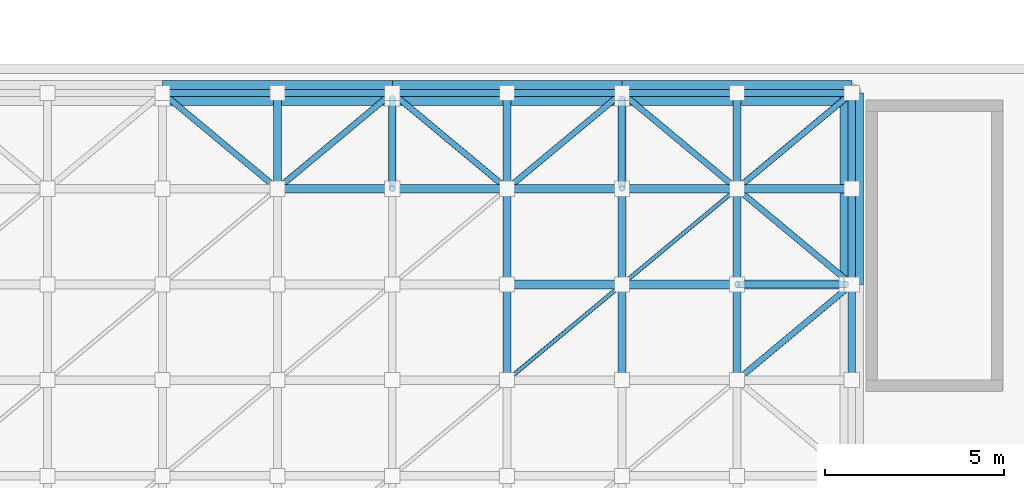
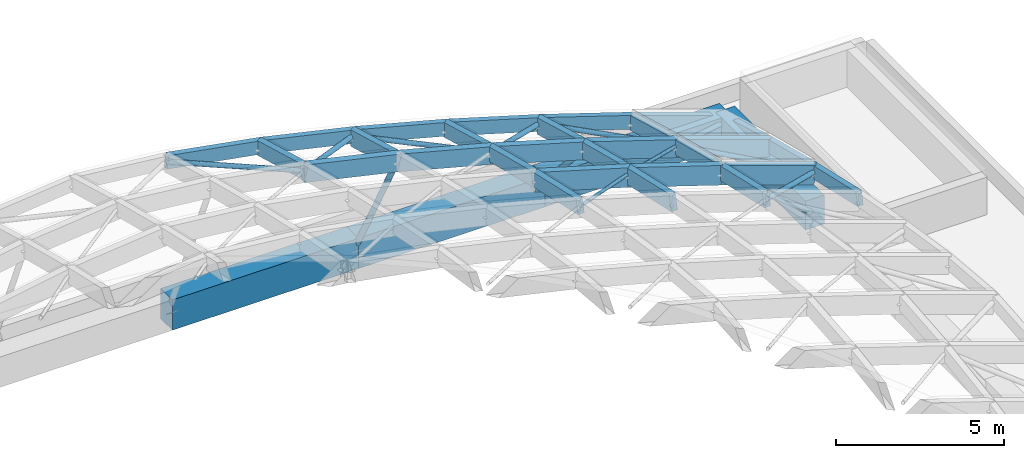
# One storey, part 22 of 40: 41 members, 4 beams.
"""IFC4 building model written with IfcOpenShell, lengths in metres."""

from ifc_helpers import new_model, si_unit, direction, frame, origin, origin_2d, place, context, subcontext, project, spatial, rectangle, hollow_circle, extrude, material, material_profile, profile_set, type_object, element, save


model = new_model("IFC4")

# Units and contexts
model_context = context("Model", 3, precision=1e-05, world=origin(), true_north=direction((0.0, 1.0)))
body_context = subcontext(model_context, "Body", "Model", "MODEL_VIEW")
ifc_project = project(units=[si_unit("LENGTHUNIT", "METRE"), si_unit("AREAUNIT", "SQUARE_METRE"), si_unit("VOLUMEUNIT", "CUBIC_METRE"), si_unit("PLANEANGLEUNIT", "RADIAN"), si_unit("MASSUNIT", "GRAM", prefix="KILO")], contexts=[model_context])

# Site, building, storey
site_placement = place(None, origin())
site = spatial("IfcSite", under=ifc_project, at=site_placement, CompositionType="ELEMENT")
building_placement = place(site_placement, origin())
building = spatial("IfcBuilding", under=site, at=building_placement, Name="Mzevani Central Library", CompositionType="ELEMENT")
storey_placement = place(building_placement, frame((0.0, 0.0, 26.699951171875)))
storey = spatial("IfcBuildingStorey", under=building, at=storey_placement, Name="RF", CompositionType="ELEMENT", Elevation=26.699951171875)

# Members
ifc_material_1 = material(Name="Steel S355J2", Category="steel")
ifc_material_profile_1 = material_profile(ifc_material_1, hollow_circle(Radius=0.096923828125, WallThickness=0.010009765625, at=origin_2d()), Name="CHS 193.7x10.0")
ifc_profile_set_1 = profile_set([ifc_material_profile_1], Name="Steel S355J2")
member_type_1 = type_object("IfcMemberType", Name="Gridshell Corner Raker CHS 193.7", PredefinedType="BRACE", material=ifc_profile_set_1)
member_1_placement = place(storey_placement, frame((146.199951171875, 74.949951171875, -12.949951171875), z_axis=(0.0, -0.473264552531, 0.880920350156), x_axis=(1.0, 0.0, 0.0)))
element("IfcMember", 1, at=member_1_placement, inside=storey, type_object=member_type_1, Name="RF Gridshell North Springing Raker 5", PredefinedType="BRACE", context=body_context, shape_type="SweptSolid", body=[
    extrude(hollow_circle(Radius=0.096923828125, WallThickness=0.010009765625, at=origin_2d()), origin(), (0.0, 0.0, 1.0), 5.317626953125),
])
member_2_placement = place(storey_placement, frame((152.60009765625, 74.949951171875, -12.949951171875), z_axis=(0.0, -0.657289394551, 0.753638276503), x_axis=(1.0, 0.0, 0.0)))
element("IfcMember", 2, at=member_2_placement, inside=storey, type_object=member_type_1, Name="RF Gridshell North Springing Raker 6", PredefinedType="BRACE", context=body_context, shape_type="SweptSolid", body=[
    extrude(hollow_circle(Radius=0.096923828125, WallThickness=0.010009765625, at=origin_2d()), origin(), (0.0, 0.0, 1.0), 3.828857421875),
])
member_3_placement = place(storey_placement, frame((158.85009765625, 69.7666015625, -12.949951171875), z_axis=(-0.770395365575, 0.0, 0.637566451988), x_axis=(0.0, -1.0, 0.0)))
element("IfcMember", 3, at=member_3_placement, inside=storey, type_object=member_type_1, Name="RF Gridshell East Springing Raker 5", PredefinedType="BRACE", context=body_context, shape_type="SweptSolid", body=[
    extrude(hollow_circle(Radius=0.096923828125, WallThickness=0.010009765625, at=origin_2d()), origin(), (0.0, 0.0, 1.0), 3.958984375),
])
ifc_material_profile_2 = material_profile(ifc_material_1, hollow_circle(Radius=0.05712890625, WallThickness=0.00634765625, at=origin_2d()), Name="CHS 114.3x6.3")
ifc_profile_set_2 = profile_set([ifc_material_profile_2], Name="Steel S355J2")
member_type_2 = type_object("IfcMemberType", Name="Gridshell Diagonal Brace CHS 114.3", PredefinedType="BRACE", material=ifc_profile_set_2)
member_4_placement = place(storey_placement, frame((149.39990234375, 67.10009765625, -7.808837890625), z_axis=(0.719651735035, 0.599636576904, -0.350053361503), x_axis=(-0.640138279177, 0.768259710991, 0.0)))
element("IfcMember", 4, at=member_4_placement, inside=storey, type_object=member_type_2, Name="RF Gridshell Steel Diagonal 12.10", PredefinedType="BRACE", context=body_context, shape_type="SweptSolid", body=[
    extrude(hollow_circle(Radius=0.05712890625, WallThickness=0.00634765625, at=origin_2d()), origin(), (0.0, 0.0, 1.0), 4.44677734375),
])
member_5_placement = place(storey_placement, frame((152.60009765625, 69.7666015625, -9.365478515625), z_axis=(0.710086656667, 0.591765968625, -0.381562548478), x_axis=(-0.640201694382, 0.768206867003, 0.0)))
element("IfcMember", 5, at=member_5_placement, inside=storey, type_object=member_type_2, Name="RF Gridshell Steel Diagonal 13.11", PredefinedType="BRACE", context=body_context, shape_type="SweptSolid", body=[
    extrude(hollow_circle(Radius=0.05712890625, WallThickness=0.00634765625, at=origin_2d()), origin(), (0.0, 0.0, 1.0), 4.50634765625),
])
ifc_material_2 = material(Name="Glulam GL28h", Category="wood")
ifc_material_profile_3 = material_profile(ifc_material_2, rectangle(XDim=0.199951171875, YDim=0.47998046875, at=origin_2d()), Name="GL28h 200x480")
ifc_profile_set_3 = profile_set([ifc_material_profile_3], Name="Glulam GL28h")
member_type_3 = type_object("IfcMemberType", Name="Gridshell Edge Rib GL28h 200x480", PredefinedType="RAFTER", material=ifc_profile_set_3)
member_6_placement = place(storey_placement, frame((139.800048828125, 75.10009765625, -7.6533203125), z_axis=(0.984121212692, 0.0, -0.177497714718), x_axis=(0.0, 1.0, 0.0)))
element("IfcMember", 6, at=member_6_placement, inside=storey, type_object=member_type_3, Name="RF Gridshell Glulam Arch Rib X13.9", PredefinedType="RAFTER", context=body_context, shape_type="SweptSolid", body=[
    extrude(rectangle(XDim=0.199951171875, YDim=0.47998046875, at=origin_2d()), origin(), (0.0, 0.0, 1.0), 3.25146484375),
])
member_7_placement = place(storey_placement, frame((143.0, 75.10009765625, -8.23046875), z_axis=(0.975034107954, 0.0, -0.222055147039), x_axis=(0.0, 1.0, 0.0)))
element("IfcMember", 7, at=member_7_placement, inside=storey, type_object=member_type_3, Name="RF Gridshell Glulam Arch Rib X13.10", PredefinedType="RAFTER", context=body_context, shape_type="SweptSolid", body=[
    extrude(rectangle(XDim=0.199951171875, YDim=0.47998046875, at=origin_2d()), origin(), (0.0, 0.0, 1.0), 3.281982421875),
])
member_8_placement = place(storey_placement, frame((146.199951171875, 75.10009765625, -8.959228515625), z_axis=(0.966604816788, 0.0, -0.256271590626), x_axis=(0.0, 1.0, 0.0)))
element("IfcMember", 8, at=member_8_placement, inside=storey, type_object=member_type_3, Name="RF Gridshell Glulam Arch Rib X13.11", PredefinedType="RAFTER", context=body_context, shape_type="SweptSolid", body=[
    extrude(rectangle(XDim=0.199951171875, YDim=0.47998046875, at=origin_2d()), origin(), (0.0, 0.0, 1.0), 3.310546875),
])
member_9_placement = place(storey_placement, frame((149.39990234375, 75.10009765625, -9.8076171875), z_axis=(0.958635641973, 0.0, -0.284636093879), x_axis=(0.0, 1.0, 0.0)))
element("IfcMember", 9, at=member_9_placement, inside=storey, type_object=member_type_3, Name="RF Gridshell Glulam Arch Rib X13.12", PredefinedType="RAFTER", context=body_context, shape_type="SweptSolid", body=[
    extrude(rectangle(XDim=0.199951171875, YDim=0.47998046875, at=origin_2d()), origin(), (0.0, 0.0, 1.0), 3.33837890625),
])
member_10_placement = place(storey_placement, frame((152.60009765625, 75.10009765625, -10.7578125), z_axis=(0.950986603107, 0.0, -0.30923208228), x_axis=(0.0, 1.0, 0.0)))
element("IfcMember", 10, at=member_10_placement, inside=storey, type_object=member_type_3, Name="RF Gridshell Glulam Arch Rib X13.13", PredefinedType="RAFTER", context=body_context, shape_type="SweptSolid", body=[
    extrude(rectangle(XDim=0.199951171875, YDim=0.47998046875, at=origin_2d()), origin(), (0.0, 0.0, 1.0), 3.364990234375),
])
member_11_placement = place(storey_placement, frame((155.800048828125, 75.10009765625, -11.79833984375), z_axis=(0.943711214964, 0.0, -0.330770528843), x_axis=(0.0, 1.0, 0.0)))
element("IfcMember", 11, at=member_11_placement, inside=storey, type_object=member_type_3, Name="RF Gridshell Glulam Arch Rib X13.14", PredefinedType="RAFTER", context=body_context, shape_type="SweptSolid", body=[
    extrude(rectangle(XDim=0.199951171875, YDim=0.47998046875, at=origin_2d()), origin(), (0.0, 0.0, 1.0), 3.390869140625),
])
member_12_placement = place(storey_placement, frame((159.0, 67.10009765625, -10.89111328125), z_axis=(0.0, 0.975099518813, -0.22176773528), x_axis=(-1.0, 0.0, 0.0)))
element("IfcMember", 12, at=member_12_placement, inside=storey, type_object=member_type_3, Name="RF Gridshell Glulam Transverse Rib Y15.10", PredefinedType="RAFTER", context=body_context, shape_type="SweptSolid", body=[
    extrude(rectangle(XDim=0.199951171875, YDim=0.47998046875, at=origin_2d()), origin(), (0.0, 0.0, 1.0), 2.734619140625),
])
member_13_placement = place(storey_placement, frame((159.0, 69.7666015625, -11.49755859375), z_axis=(0.0, 0.969084447248, -0.246729272892), x_axis=(-1.0, 0.0, 0.0)))
element("IfcMember", 13, at=member_13_placement, inside=storey, type_object=member_type_3, Name="RF Gridshell Glulam Transverse Rib Y15.11", PredefinedType="RAFTER", context=body_context, shape_type="SweptSolid", body=[
    extrude(rectangle(XDim=0.199951171875, YDim=0.47998046875, at=origin_2d()), origin(), (0.0, 0.0, 1.0), 2.751708984375),
])
member_14_placement = place(storey_placement, frame((159.0, 72.433349609375, -12.176513671875), z_axis=(0.0, 0.963271132564, -0.268530678262), x_axis=(-1.0, 0.0, 0.0)))
element("IfcMember", 14, at=member_14_placement, inside=storey, type_object=member_type_3, Name="RF Gridshell Glulam Transverse Rib Y15.12", PredefinedType="RAFTER", context=body_context, shape_type="SweptSolid", body=[
    extrude(rectangle(XDim=0.199951171875, YDim=0.47998046875, at=origin_2d()), origin(), (0.0, 0.0, 1.0), 2.768310546875),
])
ifc_material_profile_4 = material_profile(ifc_material_2, rectangle(XDim=0.239990234375, YDim=0.6201171875, at=origin_2d()), Name="GL28h 240x620")
ifc_profile_set_4 = profile_set([ifc_material_profile_4], Name="Glulam GL28h")
member_type_4 = type_object("IfcMemberType", Name="Gridshell Primary Rib GL28h 240x620", PredefinedType="RAFTER", material=ifc_profile_set_4)
member_15_placement = place(storey_placement, frame((143.0, 72.433349609375, -7.55712890625), z_axis=(0.975050212006, 0.0, -0.221984423028), x_axis=(0.0, 1.0, 0.0)))
element("IfcMember", 15, at=member_15_placement, inside=storey, type_object=member_type_4, Name="RF Gridshell Glulam Arch Rib X12.10", PredefinedType="RAFTER", context=body_context, shape_type="SweptSolid", body=[
    extrude(rectangle(XDim=0.239990234375, YDim=0.6201171875, at=origin_2d()), origin(), (0.0, 0.0, 1.0), 3.28173828125),
])
member_16_placement = place(storey_placement, frame((146.199951171875, 72.433349609375, -8.28564453125), z_axis=(0.966586546506, 0.0, -0.256340492535), x_axis=(0.0, 1.0, 0.0)))
element("IfcMember", 16, at=member_16_placement, inside=storey, type_object=member_type_4, Name="RF Gridshell Glulam Arch Rib X12.11", PredefinedType="RAFTER", context=body_context, shape_type="SweptSolid", body=[
    extrude(rectangle(XDim=0.239990234375, YDim=0.6201171875, at=origin_2d()), origin(), (0.0, 0.0, 1.0), 3.310546875),
])
member_17_placement = place(storey_placement, frame((149.39990234375, 72.433349609375, -9.13427734375), z_axis=(0.958635641973, 0.0, -0.284636093879), x_axis=(0.0, 1.0, 0.0)))
element("IfcMember", 17, at=member_17_placement, inside=storey, type_object=member_type_4, Name="RF Gridshell Glulam Arch Rib X12.12", PredefinedType="RAFTER", context=body_context, shape_type="SweptSolid", body=[
    extrude(rectangle(XDim=0.239990234375, YDim=0.6201171875, at=origin_2d()), origin(), (0.0, 0.0, 1.0), 3.33837890625),
])
member_18_placement = place(storey_placement, frame((152.60009765625, 72.433349609375, -10.08447265625), z_axis=(0.950986603107, 0.0, -0.30923208228), x_axis=(0.0, 1.0, 0.0)))
element("IfcMember", 18, at=member_18_placement, inside=storey, type_object=member_type_4, Name="RF Gridshell Glulam Arch Rib X12.13", PredefinedType="RAFTER", context=body_context, shape_type="SweptSolid", body=[
    extrude(rectangle(XDim=0.239990234375, YDim=0.6201171875, at=origin_2d()), origin(), (0.0, 0.0, 1.0), 3.364990234375),
])
member_19_placement = place(storey_placement, frame((155.800048828125, 72.433349609375, -11.125), z_axis=(0.943711214964, 0.0, -0.330770528843), x_axis=(0.0, 1.0, 0.0)))
element("IfcMember", 19, at=member_19_placement, inside=storey, type_object=member_type_4, Name="RF Gridshell Glulam Arch Rib X12.14", PredefinedType="RAFTER", context=body_context, shape_type="SweptSolid", body=[
    extrude(rectangle(XDim=0.239990234375, YDim=0.6201171875, at=origin_2d()), origin(), (0.0, 0.0, 1.0), 3.390869140625),
])
ifc_material_profile_5 = material_profile(ifc_material_2, rectangle(XDim=0.239990234375, YDim=0.679931640625, at=origin_2d()), Name="GL28h 240x680")
ifc_profile_set_5 = profile_set([ifc_material_profile_5], Name="Glulam GL28h")
member_type_5 = type_object("IfcMemberType", Name="Gridshell Primary Rib GL28h 240x680", PredefinedType="RAFTER", material=ifc_profile_set_5)
member_20_placement = place(storey_placement, frame((149.39990234375, 69.7666015625, -8.485107421875), z_axis=(0.958615684622, 0.0, -0.284703300292), x_axis=(0.0, 1.0, 0.0)))
element("IfcMember", 20, at=member_20_placement, inside=storey, type_object=member_type_5, Name="RF Gridshell Glulam Arch Rib X11.12", PredefinedType="RAFTER", context=body_context, shape_type="SweptSolid", body=[
    extrude(rectangle(XDim=0.239990234375, YDim=0.679931640625, at=origin_2d()), origin(), (0.0, 0.0, 1.0), 3.33837890625),
])
member_21_placement = place(storey_placement, frame((152.60009765625, 69.7666015625, -9.435546875), z_axis=(0.951007938159, 0.0, -0.309166462539), x_axis=(0.0, 1.0, 0.0)))
element("IfcMember", 21, at=member_21_placement, inside=storey, type_object=member_type_5, Name="RF Gridshell Glulam Arch Rib X11.13", PredefinedType="RAFTER", context=body_context, shape_type="SweptSolid", body=[
    extrude(rectangle(XDim=0.239990234375, YDim=0.679931640625, at=origin_2d()), origin(), (0.0, 0.0, 1.0), 3.36474609375),
])
member_22_placement = place(storey_placement, frame((155.800048828125, 69.7666015625, -10.475830078125), z_axis=(0.943711214964, 0.0, -0.330770528843), x_axis=(0.0, 1.0, 0.0)))
element("IfcMember", 22, at=member_22_placement, inside=storey, type_object=member_type_5, Name="RF Gridshell Glulam Arch Rib X11.14", PredefinedType="RAFTER", context=body_context, shape_type="SweptSolid", body=[
    extrude(rectangle(XDim=0.239990234375, YDim=0.679931640625, at=origin_2d()), origin(), (0.0, 0.0, 1.0), 3.390869140625),
])

# Beams
ifc_material_3 = material(Name="Concrete C40/50", Category="concrete")
ifc_material_profile_6 = material_profile(ifc_material_3, rectangle(XDim=0.64990234375, YDim=1.050048828125, at=origin_2d()), Name="RC RB650x1050")
ifc_profile_set_6 = profile_set([ifc_material_profile_6], Name="Concrete C40/50")
beam_type_1 = type_object("IfcBeamType", Name="Gridshell Ring Beam RC 650x1050", PredefinedType="BEAM", material=ifc_profile_set_6)
beam_1_placement = place(storey_placement, frame((159.0, 69.7666015625, -13.02490234375), z_axis=(0.0, 1.0, 0.0), x_axis=(-1.0, 0.0, 0.0)))
element("IfcBeam", 23, at=beam_1_placement, inside=storey, type_object=beam_type_1, Name="RF Gridshell Ring Beam East Bay 6", PredefinedType="BEAM", context=body_context, shape_type="SweptSolid", body=[
    extrude(rectangle(XDim=0.64990234375, YDim=1.050048828125, at=origin_2d()), origin(), (0.0, 0.0, 1.0), 5.33349609375),
])
ifc_material_profile_7 = material_profile(ifc_material_3, rectangle(XDim=0.699951171875, YDim=1.10009765625, at=origin_2d()), Name="RC RB700x1100")
ifc_profile_set_7 = profile_set([ifc_material_profile_7], Name="Concrete C40/50")
beam_type_2 = type_object("IfcBeamType", Name="Gridshell Ring Beam RC 700x1100", PredefinedType="BEAM", material=ifc_profile_set_7)
beam_2_placement = place(storey_placement, frame((139.800048828125, 75.10009765625, -13.050048828125), z_axis=(1.0, 0.0, 0.0), x_axis=(0.0, 1.0, 0.0)))
element("IfcBeam", 24, at=beam_2_placement, inside=storey, type_object=beam_type_2, Name="RF Gridshell Ring Beam North Bay 5", PredefinedType="BEAM", context=body_context, shape_type="SweptSolid", body=[
    extrude(rectangle(XDim=0.699951171875, YDim=1.10009765625, at=origin_2d()), origin(), (0.0, 0.0, 1.0), 6.39990234375),
])
beam_3_placement = place(storey_placement, frame((146.199951171875, 75.10009765625, -13.050048828125), z_axis=(1.0, 0.0, 0.0), x_axis=(0.0, 1.0, 0.0)))
element("IfcBeam", 25, at=beam_3_placement, inside=storey, type_object=beam_type_2, Name="RF Gridshell Ring Beam North Bay 6", PredefinedType="BEAM", context=body_context, shape_type="SweptSolid", body=[
    extrude(rectangle(XDim=0.699951171875, YDim=1.10009765625, at=origin_2d()), origin(), (0.0, 0.0, 1.0), 6.400146484375),
])
beam_4_placement = place(storey_placement, frame((152.60009765625, 75.10009765625, -13.050048828125), z_axis=(1.0, 0.0, 0.0), x_axis=(0.0, 1.0, 0.0)))
element("IfcBeam", 26, at=beam_4_placement, inside=storey, type_object=beam_type_2, Name="RF Gridshell Ring Beam North Bay 7", PredefinedType="BEAM", context=body_context, shape_type="SweptSolid", body=[
    extrude(rectangle(XDim=0.699951171875, YDim=1.10009765625, at=origin_2d()), origin(), (0.0, 0.0, 1.0), 6.39990234375),
])

# Members
ifc_material_profile_8 = material_profile(ifc_material_1, hollow_circle(Radius=0.084228515625, WallThickness=0.010009765625, at=origin_2d()), Name="CHS 168.3x10.0")
ifc_profile_set_8 = profile_set([ifc_material_profile_8], Name="Steel S355J2")
member_type_6 = type_object("IfcMemberType", Name="Gridshell Springing Brace CHS 168.3", PredefinedType="BRACE", material=ifc_profile_set_8)
member_23_placement = place(storey_placement, frame((139.800048828125, 75.10009765625, -7.68310546875), z_axis=(0.767597472155, -0.639693842096, 0.039823474561), x_axis=(0.640201694382, 0.768206867003, 0.0)))
element("IfcMember", 27, at=member_23_placement, inside=storey, type_object=member_type_6, Name="RF Gridshell Steel Diagonal 9.12", PredefinedType="BRACE", context=body_context, shape_type="SweptSolid", body=[
    extrude(hollow_circle(Radius=0.084228515625, WallThickness=0.010009765625, at=origin_2d()), origin(), (0.0, 0.0, 1.0), 4.168701171875),
])
member_24_placement = place(storey_placement, frame((143.0, 72.433349609375, -7.51708984375), z_axis=(0.724315875688, 0.603624193953, -0.333173145229), x_axis=(-0.640201694382, 0.768206867003, 0.0)))
element("IfcMember", 28, at=member_24_placement, inside=storey, type_object=member_type_6, Name="RF Gridshell Steel Diagonal 10.12", PredefinedType="BRACE", context=body_context, shape_type="SweptSolid", body=[
    extrude(hollow_circle(Radius=0.084228515625, WallThickness=0.010009765625, at=origin_2d()), origin(), (0.0, 0.0, 1.0), 4.41796875),
])
member_25_placement = place(storey_placement, frame((146.199951171875, 75.10009765625, -8.989013671875), z_axis=(0.767961879059, -0.639997528417, -0.025253038062), x_axis=(0.640201694382, 0.768206867003, 0.0)))
element("IfcMember", 29, at=member_25_placement, inside=storey, type_object=member_type_6, Name="RF Gridshell Steel Diagonal 11.12", PredefinedType="BRACE", context=body_context, shape_type="SweptSolid", body=[
    extrude(hollow_circle(Radius=0.084228515625, WallThickness=0.010009765625, at=origin_2d()), origin(), (0.0, 0.0, 1.0), 4.166748046875),
])
member_26_placement = place(storey_placement, frame((149.39990234375, 72.433349609375, -9.09423828125), z_axis=(0.711662733779, 0.593034180734, -0.376625296325), x_axis=(-0.640172870191, 0.768230887345, 0.0)))
element("IfcMember", 30, at=member_26_placement, inside=storey, type_object=member_type_6, Name="RF Gridshell Steel Diagonal 12.12", PredefinedType="BRACE", context=body_context, shape_type="SweptSolid", body=[
    extrude(hollow_circle(Radius=0.084228515625, WallThickness=0.010009765625, at=origin_2d()), origin(), (0.0, 0.0, 1.0), 4.496826171875),
])
member_27_placement = place(storey_placement, frame((152.60009765625, 75.10009765625, -10.787841796875), z_axis=(0.766260047165, -0.638579270251, -0.071148125231), x_axis=(0.640201694382, 0.768206867003, 0.0)))
element("IfcMember", 31, at=member_27_placement, inside=storey, type_object=member_type_6, Name="RF Gridshell Steel Diagonal 13.12", PredefinedType="BRACE", context=body_context, shape_type="SweptSolid", body=[
    extrude(hollow_circle(Radius=0.084228515625, WallThickness=0.010009765625, at=origin_2d()), origin(), (0.0, 0.0, 1.0), 4.176025390625),
])
member_28_placement = place(storey_placement, frame((155.800048828125, 67.10009765625, -9.799560546875), z_axis=(0.709594903875, 0.591302017252, -0.383193158589), x_axis=(-0.640167103973, 0.768235692344, 0.0)))
element("IfcMember", 32, at=member_28_placement, inside=storey, type_object=member_type_6, Name="RF Gridshell Steel Diagonal 14.10", PredefinedType="BRACE", context=body_context, shape_type="SweptSolid", body=[
    extrude(hollow_circle(Radius=0.084228515625, WallThickness=0.010009765625, at=origin_2d()), origin(), (0.0, 0.0, 1.0), 4.509521484375),
])
member_29_placement = place(storey_placement, frame((155.800048828125, 72.433349609375, -11.0849609375), z_axis=(0.763906211629, -0.636617650845, -0.105665824497), x_axis=(0.640201694382, 0.768206867003, 0.0)))
element("IfcMember", 33, at=member_29_placement, inside=storey, type_object=member_type_6, Name="RF Gridshell Steel Diagonal 14.11", PredefinedType="BRACE", context=body_context, shape_type="SweptSolid", body=[
    extrude(hollow_circle(Radius=0.084228515625, WallThickness=0.010009765625, at=origin_2d()), origin(), (0.0, 0.0, 1.0), 4.18896484375),
])
member_30_placement = place(storey_placement, frame((155.800048828125, 72.433349609375, -11.0849609375), z_axis=(0.701140009494, 0.584310088022, -0.408637257384), x_axis=(-0.640201694382, 0.768206867003, 0.0)))
element("IfcMember", 34, at=member_30_placement, inside=storey, type_object=member_type_6, Name="RF Gridshell Steel Diagonal 14.12", PredefinedType="BRACE", context=body_context, shape_type="SweptSolid", body=[
    extrude(hollow_circle(Radius=0.084228515625, WallThickness=0.010009765625, at=origin_2d()), origin(), (0.0, 0.0, 1.0), 4.56396484375),
])
ifc_material_profile_9 = material_profile(ifc_material_2, rectangle(XDim=0.219970703125, YDim=0.52001953125, at=origin_2d()), Name="GL28h 220x520")
ifc_profile_set_9 = profile_set([ifc_material_profile_9], Name="Glulam GL28h")
member_type_7 = type_object("IfcMemberType", Name="Gridshell Transverse Rib GL28h 220x520", PredefinedType="RAFTER", material=ifc_profile_set_9)
member_31_placement = place(storey_placement, frame((143.0, 72.433349609375, -7.507080078125), z_axis=(0.0, 0.963271132564, -0.268530678262), x_axis=(-1.0, 0.0, 0.0)))
element("IfcMember", 35, at=member_31_placement, inside=storey, type_object=member_type_7, Name="RF Gridshell Glulam Transverse Rib Y10.12", PredefinedType="RAFTER", context=body_context, shape_type="SweptSolid", body=[
    extrude(rectangle(XDim=0.219970703125, YDim=0.52001953125, at=origin_2d()), origin(), (0.0, 0.0, 1.0), 2.768310546875),
])
member_32_placement = place(storey_placement, frame((149.39990234375, 67.10009765625, -7.798828125), z_axis=(0.0, 0.975118821578, -0.221682845081), x_axis=(-1.0, 0.0, 0.0)))
element("IfcMember", 36, at=member_32_placement, inside=storey, type_object=member_type_7, Name="RF Gridshell Glulam Transverse Rib Y12.10", PredefinedType="RAFTER", context=body_context, shape_type="SweptSolid", body=[
    extrude(rectangle(XDim=0.219970703125, YDim=0.52001953125, at=origin_2d()), origin(), (0.0, 0.0, 1.0), 2.734619140625),
])
member_33_placement = place(storey_placement, frame((149.39990234375, 69.7666015625, -8.405029296875), z_axis=(0.0, 0.969063231136, -0.246812588943), x_axis=(-1.0, 0.0, 0.0)))
element("IfcMember", 37, at=member_33_placement, inside=storey, type_object=member_type_7, Name="RF Gridshell Glulam Transverse Rib Y12.11", PredefinedType="RAFTER", context=body_context, shape_type="SweptSolid", body=[
    extrude(rectangle(XDim=0.219970703125, YDim=0.52001953125, at=origin_2d()), origin(), (0.0, 0.0, 1.0), 2.751953125),
])
member_34_placement = place(storey_placement, frame((149.39990234375, 72.433349609375, -9.084228515625), z_axis=(0.0, 0.963271132564, -0.268530678262), x_axis=(-1.0, 0.0, 0.0)))
element("IfcMember", 38, at=member_34_placement, inside=storey, type_object=member_type_7, Name="RF Gridshell Glulam Transverse Rib Y12.12", PredefinedType="RAFTER", context=body_context, shape_type="SweptSolid", body=[
    extrude(rectangle(XDim=0.219970703125, YDim=0.52001953125, at=origin_2d()), origin(), (0.0, 0.0, 1.0), 2.768310546875),
])
member_35_placement = place(storey_placement, frame((155.800048828125, 67.10009765625, -9.78955078125), z_axis=(0.0, 0.975118821578, -0.221682845081), x_axis=(-1.0, 0.0, 0.0)))
element("IfcMember", 39, at=member_35_placement, inside=storey, type_object=member_type_7, Name="RF Gridshell Glulam Transverse Rib Y14.10", PredefinedType="RAFTER", context=body_context, shape_type="SweptSolid", body=[
    extrude(rectangle(XDim=0.219970703125, YDim=0.52001953125, at=origin_2d()), origin(), (0.0, 0.0, 1.0), 2.734619140625),
])
member_36_placement = place(storey_placement, frame((155.800048828125, 69.7666015625, -10.395751953125), z_axis=(0.0, 0.969063231136, -0.246812588943), x_axis=(-1.0, 0.0, 0.0)))
element("IfcMember", 40, at=member_36_placement, inside=storey, type_object=member_type_7, Name="RF Gridshell Glulam Transverse Rib Y14.11", PredefinedType="RAFTER", context=body_context, shape_type="SweptSolid", body=[
    extrude(rectangle(XDim=0.219970703125, YDim=0.52001953125, at=origin_2d()), origin(), (0.0, 0.0, 1.0), 2.751953125),
])
member_37_placement = place(storey_placement, frame((155.800048828125, 72.433349609375, -11.074951171875), z_axis=(0.0, 0.963271132564, -0.268530678262), x_axis=(-1.0, 0.0, 0.0)))
element("IfcMember", 41, at=member_37_placement, inside=storey, type_object=member_type_7, Name="RF Gridshell Glulam Transverse Rib Y14.12", PredefinedType="RAFTER", context=body_context, shape_type="SweptSolid", body=[
    extrude(rectangle(XDim=0.219970703125, YDim=0.52001953125, at=origin_2d()), origin(), (0.0, 0.0, 1.0), 2.768310546875),
])
ifc_material_profile_10 = material_profile(ifc_material_2, rectangle(XDim=0.219970703125, YDim=0.580078125, at=origin_2d()), Name="GL28h 220x580")
ifc_profile_set_10 = profile_set([ifc_material_profile_10], Name="Glulam GL28h")
member_type_8 = type_object("IfcMemberType", Name="Gridshell Transverse Rib GL28h 220x580", PredefinedType="RAFTER", material=ifc_profile_set_10)
member_38_placement = place(storey_placement, frame((146.199951171875, 72.433349609375, -8.265625), z_axis=(0.0, 0.963271132564, -0.268530678262), x_axis=(-1.0, 0.0, 0.0)))
element("IfcMember", 42, at=member_38_placement, inside=storey, type_object=member_type_8, Name="RF Gridshell Glulam Transverse Rib Y11.12", PredefinedType="RAFTER", context=body_context, shape_type="SweptSolid", body=[
    extrude(rectangle(XDim=0.219970703125, YDim=0.580078125, at=origin_2d()), origin(), (0.0, 0.0, 1.0), 2.768310546875),
])
member_39_placement = place(storey_placement, frame((152.60009765625, 67.10009765625, -8.779296875), z_axis=(0.0, 0.975118821578, -0.221682845081), x_axis=(-1.0, 0.0, 0.0)))
element("IfcMember", 43, at=member_39_placement, inside=storey, type_object=member_type_8, Name="RF Gridshell Glulam Transverse Rib Y13.10", PredefinedType="RAFTER", context=body_context, shape_type="SweptSolid", body=[
    extrude(rectangle(XDim=0.219970703125, YDim=0.580078125, at=origin_2d()), origin(), (0.0, 0.0, 1.0), 2.734619140625),
])
member_40_placement = place(storey_placement, frame((152.60009765625, 69.7666015625, -9.385498046875), z_axis=(0.0, 0.969084447248, -0.246729272892), x_axis=(-1.0, 0.0, 0.0)))
element("IfcMember", 44, at=member_40_placement, inside=storey, type_object=member_type_8, Name="RF Gridshell Glulam Transverse Rib Y13.11", PredefinedType="RAFTER", context=body_context, shape_type="SweptSolid", body=[
    extrude(rectangle(XDim=0.219970703125, YDim=0.580078125, at=origin_2d()), origin(), (0.0, 0.0, 1.0), 2.751708984375),
])
member_41_placement = place(storey_placement, frame((152.60009765625, 72.433349609375, -10.064453125), z_axis=(0.0, 0.963271132564, -0.268530678262), x_axis=(-1.0, 0.0, 0.0)))
element("IfcMember", 45, at=member_41_placement, inside=storey, type_object=member_type_8, Name="RF Gridshell Glulam Transverse Rib Y13.12", PredefinedType="RAFTER", context=body_context, shape_type="SweptSolid", body=[
    extrude(rectangle(XDim=0.219970703125, YDim=0.580078125, at=origin_2d()), origin(), (0.0, 0.0, 1.0), 2.768310546875),
])

save(model, "model.ifc")
